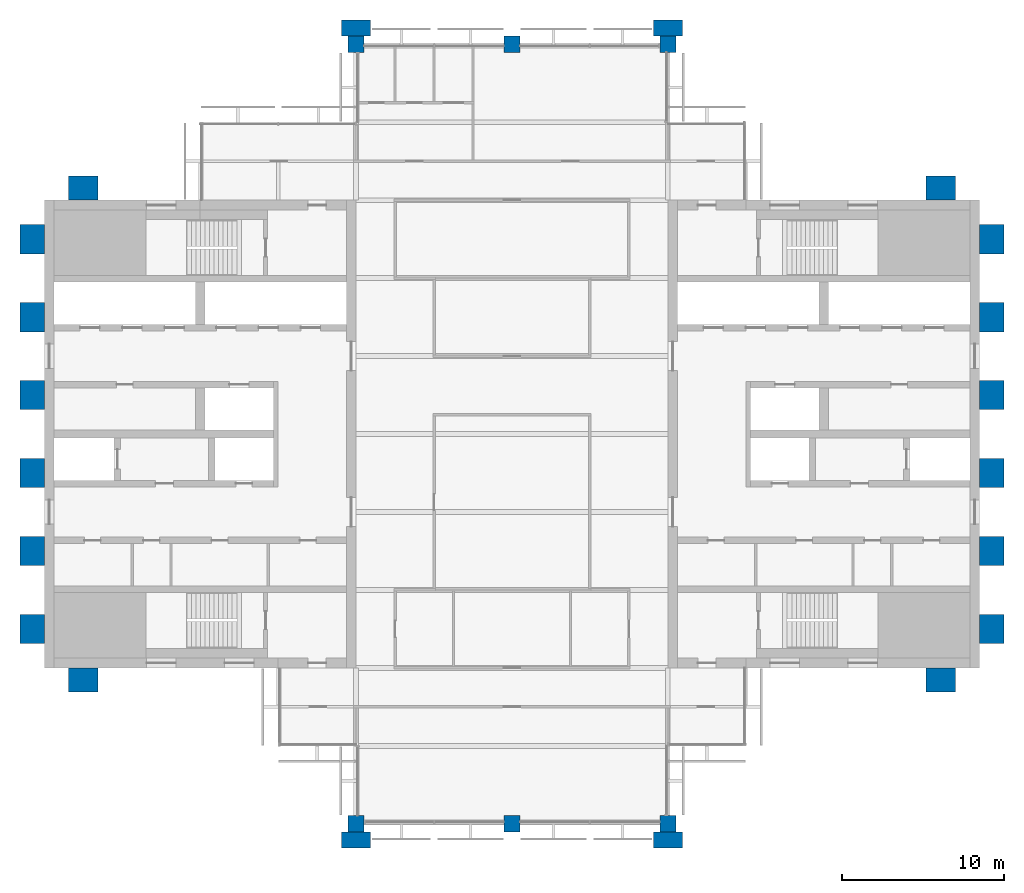
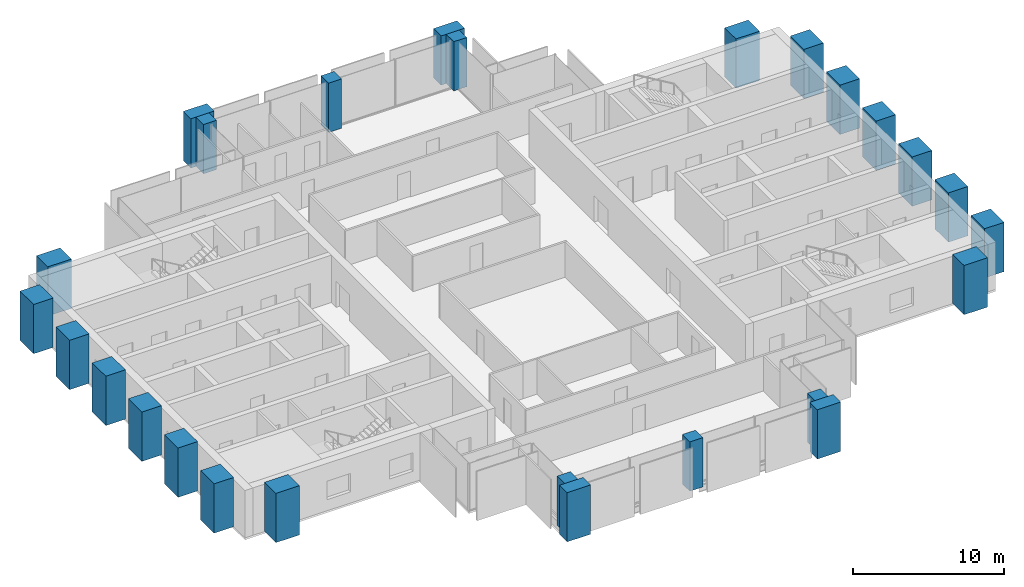
# One storey, part 1 of 12: 26 columns.
"""IFC4 building model written with IfcOpenShell, lengths in metres."""

import ifcopenshell
import ifcopenshell.guid

model = None  # the IFC model being written
_history = None  # IfcOwnerHistory: only IFC2X3 demands one
_inside = {}  # id of a spatial element -> (the spatial element, [elements in it])
_under = {}  # id of a project, library or spatial element -> (it, [spatial elements below it])
_declared = {}  # id of a project -> (the project, [libraries it declares])
_typed = {}  # id of a type object -> (the type object, [elements of that type])
_made_of = {}  # id of a material, layer set ... -> (it, [elements and type objects made of it])


def new_model(schema):
    """Start an empty IFC model of exactly this schema.

    Asked for "IFC4X3", IfcOpenShell would pick the latest addendum, in which some entities
    have other attributes; the version numbers below select the first issue.
    IFC2X3 requires an IfcOwnerHistory on every rooted entity: one is made here for all.
    """
    global model, _history
    if schema == "IFC4X3":
        model = ifcopenshell.file(schema_version=(4, 3, 0, 0))
    else:
        model = ifcopenshell.file(schema=schema)
    _inside.clear()
    _under.clear()
    _declared.clear()
    _typed.clear()
    _made_of.clear()
    _history = None
    if model.schema == "IFC2X3":
        org = make("IfcOrganization", Name="unknown")
        user = make(
            "IfcPersonAndOrganization",
            ThePerson=make("IfcPerson", FamilyName="unknown"),
            TheOrganization=org,
        )
        app = make(
            "IfcApplication",
            ApplicationDeveloper=org,
            Version="unknown",
            ApplicationFullName="unknown",
            ApplicationIdentifier="unknown",
        )
        _history = make(
            "IfcOwnerHistory",
            OwningUser=user,
            OwningApplication=app,
            ChangeAction="ADDED",
            CreationDate=0,
        )
    return model


def make(cls, **values):
    """One entity of the class cls with the attributes given. An attribute that is None is left unset."""
    return model.create_entity(
        cls, **{name: value for name, value in values.items() if value is not None}
    )


def rooted(cls, **values):
    """An entity with a GlobalId (a new one), such as an element, a storey or a relation."""
    return make(cls, GlobalId=ifcopenshell.guid.new(), OwnerHistory=_history, **values)


def si_unit(unit_type, name, prefix=None):
    """IfcSIUnit, for example si_unit("LENGTHUNIT", "METRE", prefix="MILLI")."""
    return make("IfcSIUnit", UnitType=unit_type, Prefix=prefix, Name=name)


def assignment(units):
    """IfcUnitAssignment: the units of a project."""
    return None if units is None else make("IfcUnitAssignment", Units=units)


def point(xyz):
    """IfcCartesianPoint."""
    return None if xyz is None else make("IfcCartesianPoint", Coordinates=xyz)


def direction(xyz):
    """IfcDirection."""
    return None if xyz is None else make("IfcDirection", DirectionRatios=xyz)


def frame(location, z_axis=None, x_axis=None):
    """IfcAxis2Placement3D, a coordinate frame: its origin and axes. An axis left out is left unset."""
    return make(
        "IfcAxis2Placement3D",
        Location=point(location),
        Axis=direction(z_axis),
        RefDirection=direction(x_axis),
    )


def frame_2d(location, x_axis=None):
    """IfcAxis2Placement2D, a coordinate frame in the plane: its origin and x axis."""
    return make(
        "IfcAxis2Placement2D", Location=point(location), RefDirection=direction(x_axis)
    )


def origin():
    """The frame at (0, 0, 0) with its axes left unset."""
    return frame((0.0, 0.0, 0.0))


def origin_2d():
    """The frame at (0, 0) in the plane with its x axis left unset."""
    return frame_2d((0.0, 0.0))


def place(relative_to, where):
    """IfcLocalPlacement: puts the frame where relative to a parent placement (None: the world)."""
    return make(
        "IfcLocalPlacement", PlacementRelTo=relative_to, RelativePlacement=where
    )


def context(
    kind, dimensions, precision=None, world=None, true_north=None, identifier=None
):
    """IfcGeometricRepresentationContext, for example the 3D "Model" context."""
    return make(
        "IfcGeometricRepresentationContext",
        ContextIdentifier=identifier,
        ContextType=kind,
        CoordinateSpaceDimension=dimensions,
        Precision=precision,
        WorldCoordinateSystem=world,
        TrueNorth=true_north,
    )


def subcontext(parent, identifier, kind, view, scale=None):
    """IfcGeometricRepresentationSubContext, for example "Body" below "Model"."""
    return make(
        "IfcGeometricRepresentationSubContext",
        ContextIdentifier=identifier,
        ContextType=kind,
        ParentContext=parent,
        TargetScale=scale,
        TargetView=view,
    )


def project(units=None, contexts=None):
    """IfcProject with its units and contexts."""
    return rooted(
        "IfcProject",
        Name="project",
        RepresentationContexts=contexts,
        UnitsInContext=assignment(units),
    )


def spatial(cls, under=None, at=None, **own):
    """A site, building, storey or space (cls), placed at a placement, below another one or the project."""
    s = rooted(cls, ObjectPlacement=at, **own)
    if under is not None:
        _under.setdefault(under.id(), (under, []))[1].append(s)
    return s


def profile(cls, at=None, kind="AREA", **sizes):
    """A parametric profile (cls). Its sizes go by their IFC names, for example OverallWidth=200.0."""
    return make(cls, ProfileType=kind, Position=at, **sizes)


def rectangle(**sizes):
    """IfcRectangleProfileDef."""
    return profile("IfcRectangleProfileDef", **sizes)


def extrude(swept, where, along, depth):
    """IfcExtrudedAreaSolid: the profile swept, set in the frame where, extruded along a direction by depth."""
    return make(
        "IfcExtrudedAreaSolid",
        SweptArea=swept,
        Position=where,
        ExtrudedDirection=direction(along),
        Depth=depth,
    )


def shape(context_of_items, identifier, shape_type, items):
    """IfcShapeRepresentation: the items that make up one representation, for example the "Body"."""
    return make(
        "IfcShapeRepresentation",
        ContextOfItems=context_of_items,
        RepresentationIdentifier=identifier,
        RepresentationType=shape_type,
        Items=items,
    )


def material(Name=None, Category=None):
    """IfcMaterial."""
    return make("IfcMaterial", Name=Name, Category=Category)


def material_profile(
    of_material, cross_section, Name=None, Category=None, Priority=None
):
    """IfcMaterialProfile: a cross section and its material."""
    return make(
        "IfcMaterialProfile",
        Name=Name,
        Material=of_material,
        Profile=cross_section,
        Priority=Priority,
        Category=Category,
    )


def profile_set(profiles, Name=None, composite=None):
    """IfcMaterialProfileSet."""
    return make(
        "IfcMaterialProfileSet",
        Name=Name,
        MaterialProfiles=profiles,
        CompositeProfile=composite,
    )


def made_of(thing, what):
    """Note that an element or type object is made of a material, layer set ...; save() writes the relation."""
    if what is not None:
        _made_of.setdefault(what.id(), (what, []))[1].append(thing)
    return thing


def type_object(cls, material=None, **own):
    """A type object (cls), such as IfcWallType, which elements share."""
    return made_of(rooted(cls, **own), material)


def element(
    cls,
    number,
    at=None,
    inside=None,
    cuts=None,
    type_object=None,
    material=None,
    context=None,
    identifier="Body",
    shape_type=None,
    held_by="IfcProductDefinitionShape",
    body=None,
    shapes=None,
    **own,
):
    """One element of the class cls, such as IfcWall. Its Tag is "e" and its number.

    at: its placement. inside: the storey or other place that contains it. cuts: it is an
    opening in that element (IfcRelVoidsElement). A single representation is given by context,
    identifier, shape_type and body (its items); several are given by shapes. held_by: the class
    of the entity that holds the representations. save() writes the other relations.
    """
    e = rooted(cls, Tag="e%d" % number, ObjectPlacement=at, **own)
    if body is not None:
        shapes = [shape(context, identifier, shape_type, body)]
    if shapes is not None:
        e.Representation = make(held_by, Representations=shapes)
    if inside is not None:
        _inside.setdefault(inside.id(), (inside, []))[1].append(e)
    if cuts is not None:
        rooted(
            "IfcRelVoidsElement", RelatingBuildingElement=cuts, RelatedOpeningElement=e
        )
    if type_object is not None:
        _typed.setdefault(type_object.id(), (type_object, []))[1].append(e)
    return made_of(e, material)


def aggregate(whole, parts):
    """IfcRelAggregates: a whole, such as a stair, and the parts it consists of."""
    return rooted("IfcRelAggregates", RelatingObject=whole, RelatedObjects=parts)


def save(model, path):
    """Write the relations noted so far, then the file.

    IfcRelAggregates (storeys below a building ...), IfcRelContainedInSpatialStructure (elements
    in a storey), IfcRelDefinesByType, IfcRelAssociatesMaterial and IfcRelDeclares: one each for
    every whole, place, type object, material and project.
    """
    for whole, parts in _under.values():
        aggregate(whole, parts)
    for where, things in _inside.values():
        rooted(
            "IfcRelContainedInSpatialStructure",
            RelatedElements=things,
            RelatingStructure=where,
        )
    for kind, things in _typed.values():
        rooted("IfcRelDefinesByType", RelatedObjects=things, RelatingType=kind)
    for what, things in _made_of.values():
        rooted("IfcRelAssociatesMaterial", RelatedObjects=things, RelatingMaterial=what)
    for by, libraries in _declared.values():
        rooted("IfcRelDeclares", RelatingContext=by, RelatedDefinitions=libraries)
    model.write(path)


model = new_model("IFC4")

# Units and contexts
model_context = context("Model", 3, precision=1e-05, world=origin(), true_north=direction((0.0, 1.0)))
body_context = subcontext(model_context, "Body", "Model", "MODEL_VIEW")
ifc_project = project(units=[si_unit("LENGTHUNIT", "METRE"), si_unit("AREAUNIT", "SQUARE_METRE"), si_unit("VOLUMEUNIT", "CUBIC_METRE"), si_unit("PLANEANGLEUNIT", "RADIAN"), si_unit("MASSUNIT", "GRAM", prefix="KILO")], contexts=[model_context])

# Site, building, storey
site_placement = place(None, origin())
site = spatial("IfcSite", under=ifc_project, at=site_placement, CompositionType="ELEMENT")
building_placement = place(site_placement, origin())
building = spatial("IfcBuilding", under=site, at=building_placement, Name="Baori Bourse Tower", CompositionType="ELEMENT")
storey_placement = place(building_placement, frame((0.0, 0.0, 286.300048828125)))
storey = spatial("IfcBuildingStorey", under=building, at=storey_placement, Name="L62", CompositionType="ELEMENT", Elevation=286.300048828125)

# Columns
ifc_material_1 = material(Name="Concrete f'c 60 MPa", Category="concrete")
ifc_material_profile_1 = material_profile(ifc_material_1, rectangle(XDim=1.800048828125, YDim=1.0, at=origin_2d()), Name="RC 1800x1000")
ifc_profile_set_1 = profile_set([ifc_material_profile_1], Name="Concrete f'c 60 MPa")
column_type_1 = type_object("IfcColumnType", Name="FN3 Brick pilaster 1800x1000", PredefinedType="PILASTER", material=ifc_profile_set_1)
for number, where, z_axis, x_axis, name in (
    (1, (19.199951171875, -1.0, 0.0), (0.0, 0.0, 1.0), (1.0, 0.0, 0.0), "Brick pilaster L62 17"),
    (2, (38.39990234375, -1.0, 0.0), (0.0, 0.0, 1.0), (1.0, 0.0, 0.0), "Brick pilaster L62 18"),
    (3, (19.199951171875, 49.0, 0.0), (0.0, 0.0, 1.0), (1.0, 0.0, 0.0), "Brick pilaster L62 19"),
    (4, (38.39990234375, 49.0, 0.0), (0.0, 0.0, 1.0), (1.0, 0.0, 0.0), "Brick pilaster L62 20"),
):
    element("IfcColumn", number, at=place(storey_placement, frame(where, z_axis=z_axis, x_axis=x_axis)), inside=storey, type_object=column_type_1, Name=name, PredefinedType="PILASTER", context=body_context, shape_type="SweptSolid", body=[
        extrude(rectangle(XDim=1.800048828125, YDim=1.0, at=origin_2d()), origin(), (0.0, 0.0, 1.0), 4.0),
    ])
ifc_material_2 = material(Name="Concrete f'c 60 MPa", Category="concrete")
ifc_material_profile_2 = material_profile(ifc_material_2, rectangle(XDim=1.800048828125, YDim=1.5, at=origin_2d()), Name="RC 1800x1500")
ifc_profile_set_2 = profile_set([ifc_material_profile_2], Name="Concrete f'c 60 MPa")
column_type_2 = type_object("IfcColumnType", Name="FN4 Brick flank pilaster 1800x1500", PredefinedType="PILASTER", material=ifc_profile_set_2)
for number, where, z_axis, x_axis, name in (
    (5, (55.199951171875, 8.85009765625, 0.0), (0.0, 0.0, 1.0), (1.0, 0.0, 0.0), "Brick pilaster L62 1"),
    (6, (58.35009765625, 12.0, 0.0), (0.0, 0.0, 1.0), (0.0, 1.0, 0.0), "Brick pilaster L62 2"),
    (7, (58.35009765625, 16.800048828125, 0.0), (0.0, 0.0, 1.0), (0.0, 1.0, 0.0), "Brick pilaster L62 3"),
    (8, (58.35009765625, 21.60009765625, 0.0), (0.0, 0.0, 1.0), (0.0, 1.0, 0.0), "Brick pilaster L62 4"),
    (9, (58.35009765625, 26.39990234375, 0.0), (0.0, 0.0, 1.0), (0.0, 1.0, 0.0), "Brick pilaster L62 5"),
    (10, (58.35009765625, 31.199951171875, 0.0), (0.0, 0.0, 1.0), (0.0, 1.0, 0.0), "Brick pilaster L62 6"),
    (11, (58.35009765625, 36.0, 0.0), (0.0, 0.0, 1.0), (0.0, 1.0, 0.0), "Brick pilaster L62 7"),
    (12, (55.199951171875, 39.14990234375, 0.0), (0.0, 0.0, 1.0), (1.0, 0.0, 0.0), "Brick pilaster L62 8"),
    (13, (2.39990234375, 39.14990234375, 0.0), (0.0, 0.0, 1.0), (1.0, 0.0, 0.0), "Brick pilaster L62 9"),
    (14, (-0.75, 12.0, 0.0), (0.0, 0.0, 1.0), (0.0, 1.0, 0.0), "Brick pilaster L62 10"),
    (15, (-0.75, 16.800048828125, 0.0), (0.0, 0.0, 1.0), (0.0, 1.0, 0.0), "Brick pilaster L62 11"),
    (16, (-0.75, 21.60009765625, 0.0), (0.0, 0.0, 1.0), (0.0, 1.0, 0.0), "Brick pilaster L62 12"),
    (17, (-0.75, 26.39990234375, 0.0), (0.0, 0.0, 1.0), (0.0, 1.0, 0.0), "Brick pilaster L62 13"),
    (18, (-0.75, 31.199951171875, 0.0), (0.0, 0.0, 1.0), (0.0, 1.0, 0.0), "Brick pilaster L62 14"),
    (19, (-0.75, 36.0, 0.0), (0.0, 0.0, 1.0), (0.0, 1.0, 0.0), "Brick pilaster L62 15"),
    (20, (2.39990234375, 8.85009765625, 0.0), (0.0, 0.0, 1.0), (1.0, 0.0, 0.0), "Brick pilaster L62 16"),
):
    element("IfcColumn", number, at=place(storey_placement, frame(where, z_axis=z_axis, x_axis=x_axis)), inside=storey, type_object=column_type_2, Name=name, PredefinedType="PILASTER", context=body_context, shape_type="SweptSolid", body=[
        extrude(rectangle(XDim=1.800048828125, YDim=1.5, at=origin_2d()), origin(), (0.0, 0.0, 1.0), 4.0),
    ])
ifc_material_3 = material(Name="Concrete f'c 40 MPa", Category="concrete")
ifc_material_profile_3 = material_profile(ifc_material_3, rectangle(XDim=1.0, YDim=1.0, at=origin_2d()), Name="RC 1000x1000")
ifc_profile_set_3 = profile_set([ifc_material_profile_3], Name="Concrete f'c 40 MPa")
column_type_3 = type_object("IfcColumnType", Name="Perimeter column 40 RC 1000x1000", PredefinedType="COLUMN", material=ifc_profile_set_3)
for number, where, z_axis, x_axis, name in (
    (21, (19.199951171875, 0.0, 0.0), (0.0, 0.0, 1.0), (1.0, 0.0, 0.0), "Perimeter column L62"),
    (22, (28.800048828125, 0.0, 0.0), (0.0, 0.0, 1.0), (1.0, 0.0, 0.0), "Perimeter column L62"),
    (23, (38.39990234375, 0.0, 0.0), (0.0, 0.0, 1.0), (1.0, 0.0, 0.0), "Perimeter column L62"),
    (24, (19.199951171875, 48.0, 0.0), (0.0, 0.0, 1.0), (1.0, 0.0, 0.0), "Perimeter column L62"),
    (25, (28.800048828125, 48.0, 0.0), (0.0, 0.0, 1.0), (1.0, 0.0, 0.0), "Perimeter column L62"),
    (26, (38.39990234375, 48.0, 0.0), (0.0, 0.0, 1.0), (1.0, 0.0, 0.0), "Perimeter column L62"),
):
    element("IfcColumn", number, at=place(storey_placement, frame(where, z_axis=z_axis, x_axis=x_axis)), inside=storey, type_object=column_type_3, Name=name, PredefinedType="COLUMN", context=body_context, shape_type="SweptSolid", body=[
        extrude(rectangle(XDim=1.0, YDim=1.0, at=origin_2d()), origin(), (0.0, 0.0, 1.0), 4.0),
    ])

save(model, "model.ifc")
